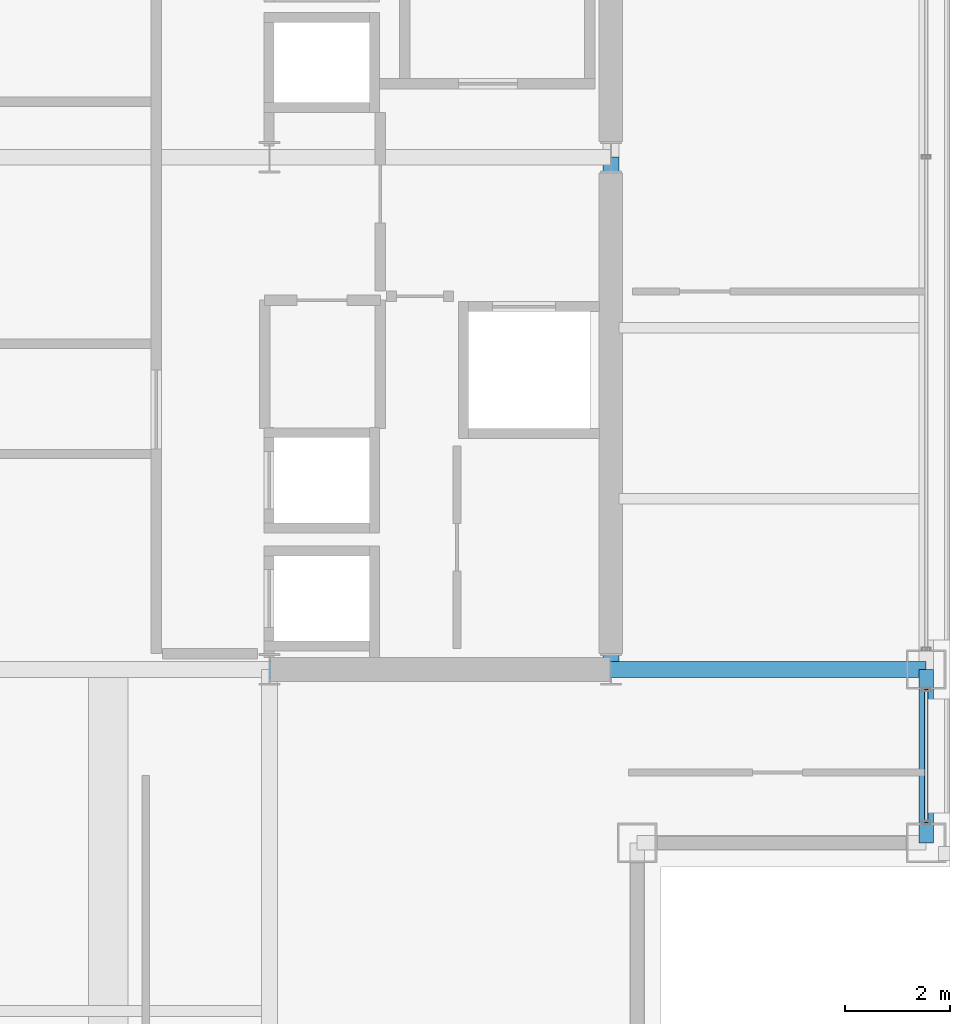
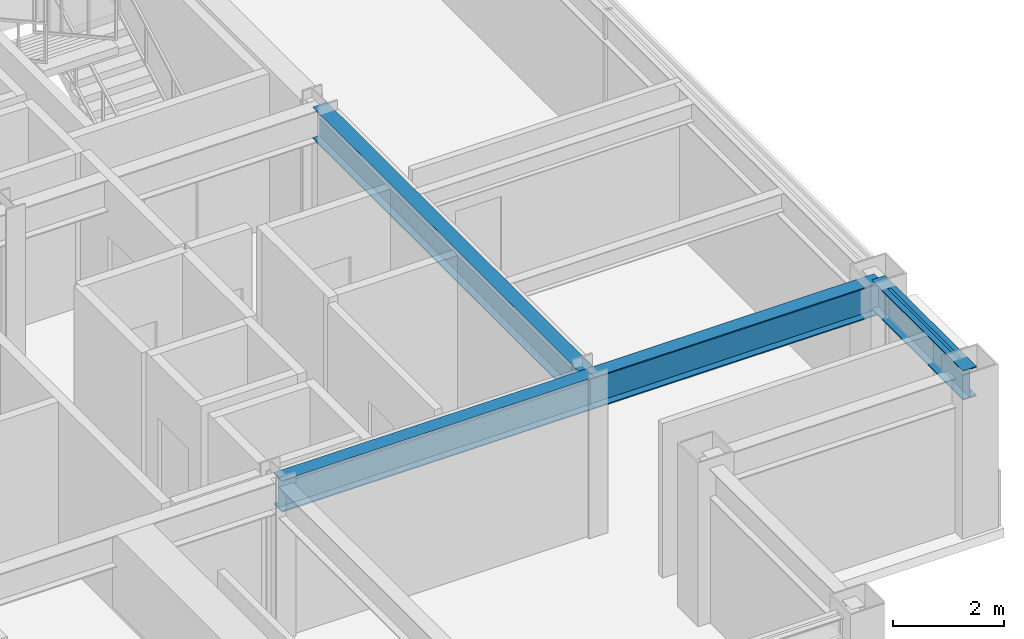
# One storey, part 12 of 28: 4 beams, 1 member, 1 element without a shape of its own.
"""IFC4 building model written with IfcOpenShell, lengths in metres."""

from ifc_helpers import new_model, si_unit, direction, frame, origin, origin_2d, place, context, subcontext, project, spatial, hollow_rectangle, i_section, extrude, material, layer, layer_set, material_profile, profile_set, type_object, element, aggregate, save


model = new_model("IFC4")

# Units and contexts
model_context = context("Model", 3, precision=1e-05, world=origin(), true_north=direction((0.0, 1.0)))
body_context = subcontext(model_context, "Body", "Model", "MODEL_VIEW")
ifc_project = project(units=[si_unit("LENGTHUNIT", "METRE"), si_unit("AREAUNIT", "SQUARE_METRE"), si_unit("VOLUMEUNIT", "CUBIC_METRE"), si_unit("PLANEANGLEUNIT", "RADIAN"), si_unit("MASSUNIT", "GRAM", prefix="KILO")], contexts=[model_context])

# Site, building, storey
site_placement = place(None, origin())
site = spatial("IfcSite", under=ifc_project, at=site_placement, CompositionType="ELEMENT")
building_placement = place(site_placement, origin())
building = spatial("IfcBuilding", under=site, at=building_placement, Name="Brelmoor Portico Tower", CompositionType="ELEMENT")
storey_placement = place(building_placement, frame((0.0, 0.0, 155.10009765625)))
storey = spatial("IfcBuildingStorey", under=building, at=storey_placement, Name="L40", CompositionType="ELEMENT", Elevation=155.10009765625)

# Beams
ifc_material_1 = material(Name="Steel Q355B", Category="steel")
ifc_material_profile_1 = material_profile(ifc_material_1, i_section(OverallWidth=0.300048828125, OverallDepth=0.699951171875, WebThickness=0.012939453125, FlangeThickness=0.02392578125, at=origin_2d()), Name="HN 700x300x13x24")
ifc_profile_set_1 = profile_set([ifc_material_profile_1], Name="Steel Q355B")
beam_type_1 = type_object("IfcBeamType", Name="BM-PG-700", PredefinedType="BEAM", material=ifc_profile_set_1)
beam_1_placement = place(storey_placement, frame((14.550048828125, -9.75, 3.0498046875), z_axis=(0.0, 1.0, 0.0), x_axis=(-1.0, 0.0, 0.0)))
element("IfcBeam", 1, at=beam_1_placement, inside=storey, type_object=beam_type_1, Name="L40 Primary Floor Girder PG-08", PredefinedType="BEAM", context=body_context, shape_type="SweptSolid", body=[
    extrude(i_section(OverallWidth=0.300048828125, OverallDepth=0.699951171875, WebThickness=0.012939453125, FlangeThickness=0.02392578125, at=origin_2d()), origin(), (0.0, 0.0, 1.0), 9.75),
])
beam_2_placement = place(storey_placement, frame((8.050048828125, -9.75, 3.0498046875), z_axis=(1.0, 0.0, 0.0), x_axis=(0.0, 1.0, 0.0)))
element("IfcBeam", 2, at=beam_2_placement, inside=storey, type_object=beam_type_1, Name="L40 Primary Floor Girder PG-13", PredefinedType="BEAM", context=body_context, shape_type="SweptSolid", body=[
    extrude(i_section(OverallWidth=0.300048828125, OverallDepth=0.699951171875, WebThickness=0.012939453125, FlangeThickness=0.02392578125, at=origin_2d()), origin(), (0.0, 0.0, 1.0), 6.5),
])
beam_3_placement = place(storey_placement, frame((14.550048828125, -9.75, 3.0498046875), z_axis=(1.0, 0.0, 0.0), x_axis=(0.0, 1.0, 0.0)))
element("IfcBeam", 3, at=beam_3_placement, inside=storey, type_object=beam_type_1, Name="L40 Primary Floor Girder PG-14", PredefinedType="BEAM", context=body_context, shape_type="SweptSolid", body=[
    extrude(i_section(OverallWidth=0.300048828125, OverallDepth=0.699951171875, WebThickness=0.012939453125, FlangeThickness=0.02392578125, at=origin_2d()), origin(), (0.0, 0.0, 1.0), 6.0),
])
ifc_material_profile_2 = material_profile(ifc_material_1, i_section(OverallWidth=0.280029296875, OverallDepth=0.64990234375, WebThickness=0.012939453125, FlangeThickness=0.02197265625, at=origin_2d()), Name="HN 650x280x13x22")
ifc_profile_set_2 = profile_set([ifc_material_profile_2], Name="Steel Q355B")
beam_type_2 = type_object("IfcBeamType", Name="BM-SP-650", PredefinedType="SPANDREL", material=ifc_profile_set_2)
beam_4_placement = place(storey_placement, frame((20.550048828125, -13.050048828125, 3.074951171875), z_axis=(0.0, 1.0, 0.0), x_axis=(-1.0, 0.0, 0.0)))
element("IfcBeam", 4, at=beam_4_placement, inside=storey, type_object=beam_type_2, Name="L40 Perimeter Spandrel Beam SP-18", PredefinedType="SPANDREL", context=body_context, shape_type="SweptSolid", body=[
    extrude(i_section(OverallWidth=0.280029296875, OverallDepth=0.64990234375, WebThickness=0.012939453125, FlangeThickness=0.02197265625, at=origin_2d()), origin(), (0.0, 0.0, 1.0), 3.300048828125),
])

# Curtain wall, member
ifc_material_2 = material(Name="Anodised Aluminium Alloy 6063-T6", Category="aluminium")
ifc_layer = layer(ifc_material_2, 0.179931640625)
ifc_layer_set = layer_set([ifc_layer], Name="Anodised Aluminium Alloy 6063-T6")
curtain_wall_type = type_object("IfcCurtainWallType", Name="CW-TOWER-Z3-XB", PredefinedType="NOTDEFINED", material=ifc_layer_set)
curtain_wall_placement = place(storey_placement, origin())
curtain_wall = element("IfcCurtainWall", 5, at=curtain_wall_placement, inside=storey, type_object=curtain_wall_type, Name="L40 Curtain Wall CW-L40-04-1", PredefinedType="NOTDEFINED")
ifc_material_profile_3 = material_profile(ifc_material_2, hollow_rectangle(XDim=0.06005859375, YDim=0.125, WallThickness=0.00341796875, at=origin_2d()), Name="ALU TRANSOM 60x125")
ifc_profile_set_3 = profile_set([ifc_material_profile_3], Name="Anodised Aluminium Alloy 6063-T6")
member_type = type_object("IfcMemberType", Name="MB-CW-TRAN-125", PredefinedType="USERDEFINED", material=ifc_profile_set_3)
member_placement = place(storey_placement, frame((20.550048828125, -12.6650390625, 3.33740234375), z_axis=(0.0, 1.0, 0.0), x_axis=(-1.0, 0.0, 0.0)))
member = element("IfcMember", 6, at=member_placement, type_object=member_type, Name="CW-L40-04-1 Transom 1-00", ObjectType="TRANSOM", PredefinedType="USERDEFINED", context=body_context, shape_type="SweptSolid", body=[
    extrude(hollow_rectangle(XDim=0.06005859375, YDim=0.125, WallThickness=0.00341796875, at=origin_2d()), origin(), (0.0, 0.0, 1.0), 2.530029296875),
])
aggregate(curtain_wall, [member])

save(model, "model.ifc")
